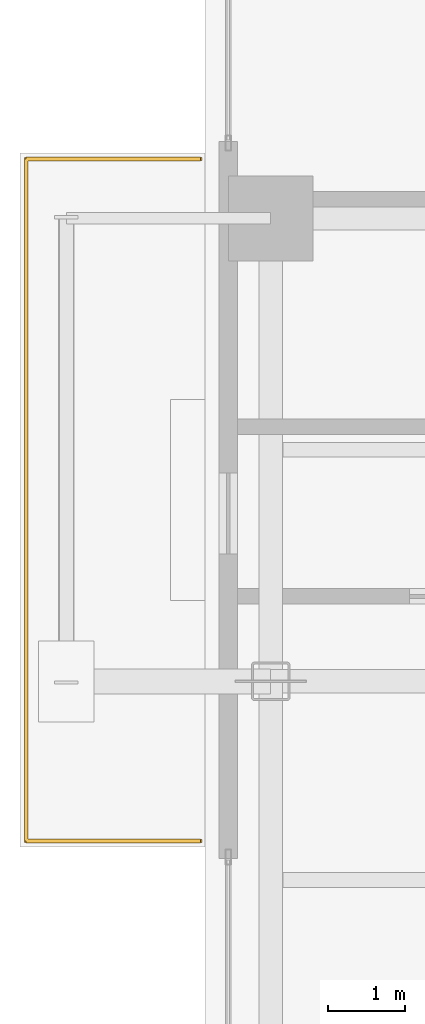
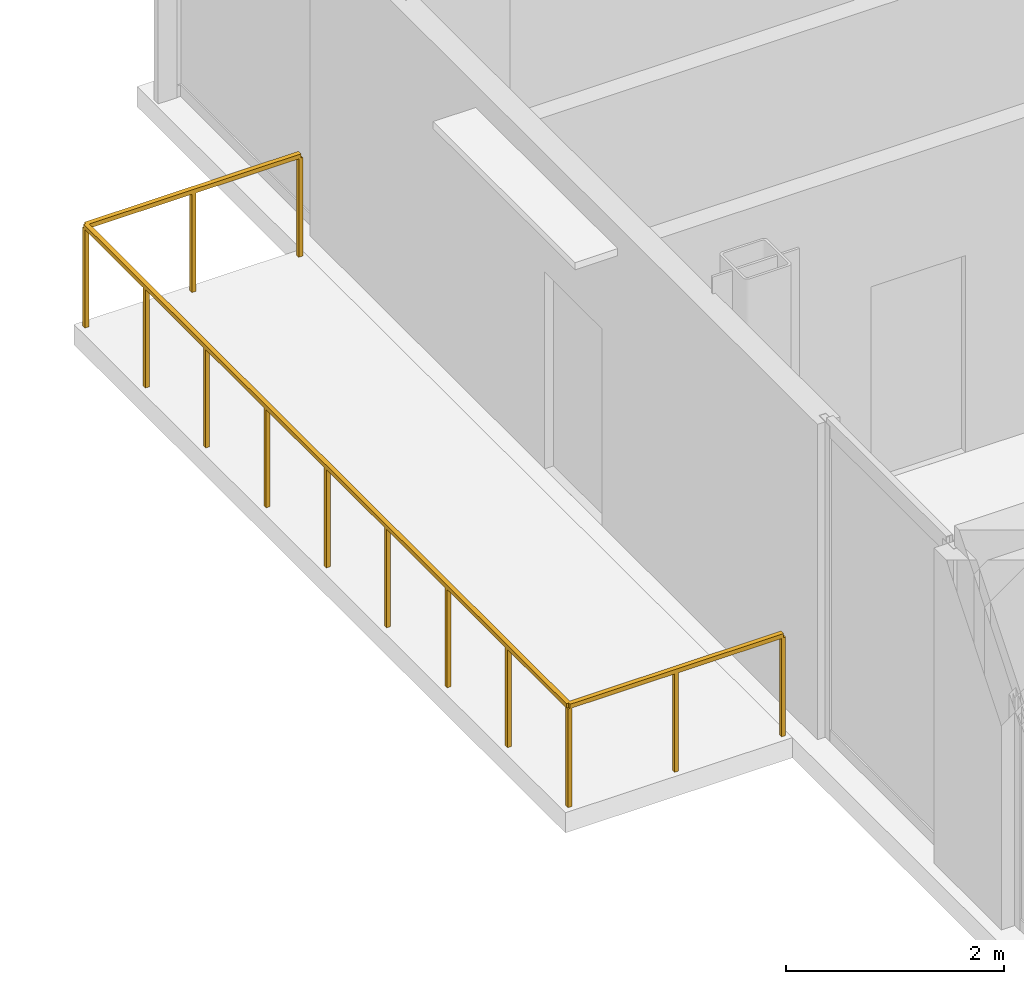
# One storey, part 28 of 28: 1 railing.
"""IFC4 building model written with IfcOpenShell, lengths in metres."""

from ifc_helpers import new_model, si_unit, direction, frame, origin, origin_2d, place, context, subcontext, project, spatial, rectangle, extrude, material, type_object, element, save


model = new_model("IFC4")

# Units and contexts
model_context = context("Model", 3, precision=1e-05, world=origin(), true_north=direction((0.0, 1.0)))
body_context = subcontext(model_context, "Body", "Model", "MODEL_VIEW")
ifc_project = project(units=[si_unit("LENGTHUNIT", "METRE"), si_unit("AREAUNIT", "SQUARE_METRE"), si_unit("VOLUMEUNIT", "CUBIC_METRE"), si_unit("PLANEANGLEUNIT", "RADIAN"), si_unit("MASSUNIT", "GRAM", prefix="KILO"), si_unit("THERMODYNAMICTEMPERATUREUNIT", "KELVIN"), si_unit("POWERUNIT", "WATT")], contexts=[model_context])

# Site, building, storey
site_placement = place(None, origin())
site = spatial("IfcSite", under=ifc_project, at=site_placement, CompositionType="ELEMENT")
building_placement = place(site_placement, origin())
building = spatial("IfcBuilding", under=site, at=building_placement, Name="Svarakhadi Broadcast Tower", CompositionType="ELEMENT")
storey_placement = place(building_placement, frame((0.0, 0.0, 119.39990234375)))
storey = spatial("IfcBuildingStorey", under=building, at=storey_placement, Name="L28", CompositionType="ELEMENT", Elevation=119.39990234375)

# Railing
ifc_material = material(Name="Laminated Structural SentryGlas Balustrade 25.5 mm", Category="glass")
railing_type = type_object("IfcRailingType", Name="Guard_Balcony_GR01", PredefinedType="BALUSTRADE", material=ifc_material)
railing_placement = place(storey_placement, frame((-0.06005859375, 27.080078125, 0.0)))
element("IfcRailing", 1, at=railing_placement, inside=storey, type_object=railing_type, Name="L28 West Tree Balcony Guard GR-05", PredefinedType="BALUSTRADE", context=body_context, shape_type="SweptSolid", body=[
    extrude(rectangle(XDim=0.048095703125, YDim=0.048095703125, at=origin_2d()), frame((0.0, 0.0, 1.1259765625), z_axis=(-1.0, 0.0, 0.0), x_axis=(0.0, -1.0, 0.0)), (0.0, 0.0, 1.0), 2.260009765625),
    extrude(rectangle(XDim=0.048095703125, YDim=0.048095703125, at=origin_2d()), frame((-2.260009765625, 0.0, 1.1259765625), z_axis=(0.0, 1.0, 0.0), x_axis=(-1.0, 0.0, 0.0)), (0.0, 0.0, 1.0), 8.83984375),
    extrude(rectangle(XDim=0.048095703125, YDim=0.048095703125, at=origin_2d()), frame((-2.260009765625, 8.83984375, 1.1259765625), z_axis=(1.0, 0.0, 0.0), x_axis=(0.0, 1.0, 0.0)), (0.0, 0.0, 1.0), 2.260009765625),
    extrude(rectangle(XDim=0.0419921875, YDim=0.0419921875, at=origin_2d()), origin(), (0.0, 0.0, 1.0), 1.101806640625),
    extrude(rectangle(XDim=0.0419921875, YDim=0.0419921875, at=origin_2d()), frame((-1.1298828125, 0.0, 0.0)), (0.0, 0.0, 1.0), 1.101806640625),
    extrude(rectangle(XDim=0.0419921875, YDim=0.0419921875, at=origin_2d()), frame((-2.260009765625, 0.0, 0.0)), (0.0, 0.0, 1.0), 1.101806640625),
    extrude(rectangle(XDim=0.0419921875, YDim=0.0419921875, at=origin_2d()), frame((-2.260009765625, 1.10498046875, 0.0)), (0.0, 0.0, 1.0), 1.101806640625),
    extrude(rectangle(XDim=0.0419921875, YDim=0.0419921875, at=origin_2d()), frame((-2.260009765625, 2.2099609375, 0.0)), (0.0, 0.0, 1.0), 1.101806640625),
    extrude(rectangle(XDim=0.0419921875, YDim=0.0419921875, at=origin_2d()), frame((-2.260009765625, 3.31494140625, 0.0)), (0.0, 0.0, 1.0), 1.101806640625),
    extrude(rectangle(XDim=0.0419921875, YDim=0.0419921875, at=origin_2d()), frame((-2.260009765625, 4.419921875, 0.0)), (0.0, 0.0, 1.0), 1.101806640625),
    extrude(rectangle(XDim=0.0419921875, YDim=0.0419921875, at=origin_2d()), frame((-2.260009765625, 5.52490234375, 0.0)), (0.0, 0.0, 1.0), 1.101806640625),
    extrude(rectangle(XDim=0.0419921875, YDim=0.0419921875, at=origin_2d()), frame((-2.260009765625, 6.6298828125, 0.0)), (0.0, 0.0, 1.0), 1.101806640625),
    extrude(rectangle(XDim=0.0419921875, YDim=0.0419921875, at=origin_2d()), frame((-2.260009765625, 7.73486328125, 0.0)), (0.0, 0.0, 1.0), 1.101806640625),
    extrude(rectangle(XDim=0.0419921875, YDim=0.0419921875, at=origin_2d()), frame((-2.260009765625, 8.83984375, 0.0)), (0.0, 0.0, 1.0), 1.101806640625),
    extrude(rectangle(XDim=0.0419921875, YDim=0.0419921875, at=origin_2d()), frame((-1.1298828125, 8.83984375, 0.0)), (0.0, 0.0, 1.0), 1.101806640625),
    extrude(rectangle(XDim=0.0419921875, YDim=0.0419921875, at=origin_2d()), frame((0.0, 8.83984375, 0.0)), (0.0, 0.0, 1.0), 1.101806640625),
])

save(model, "model.ifc")
